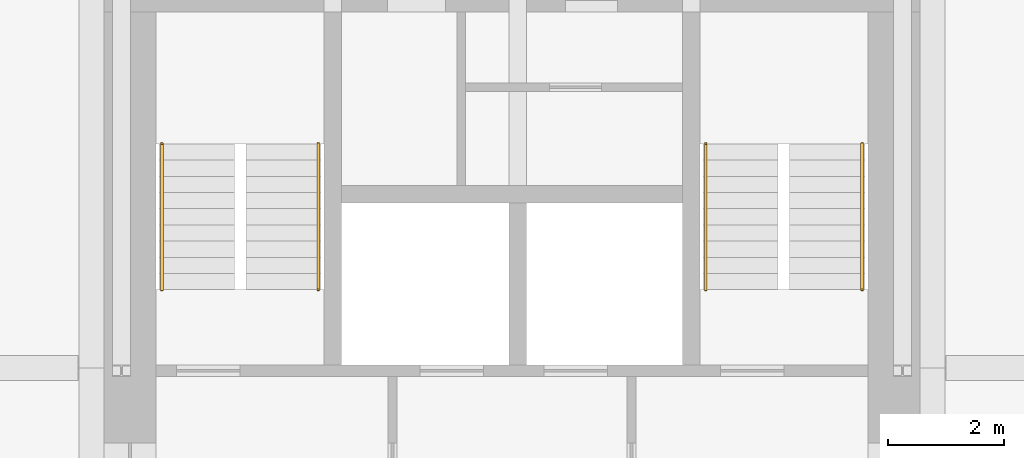
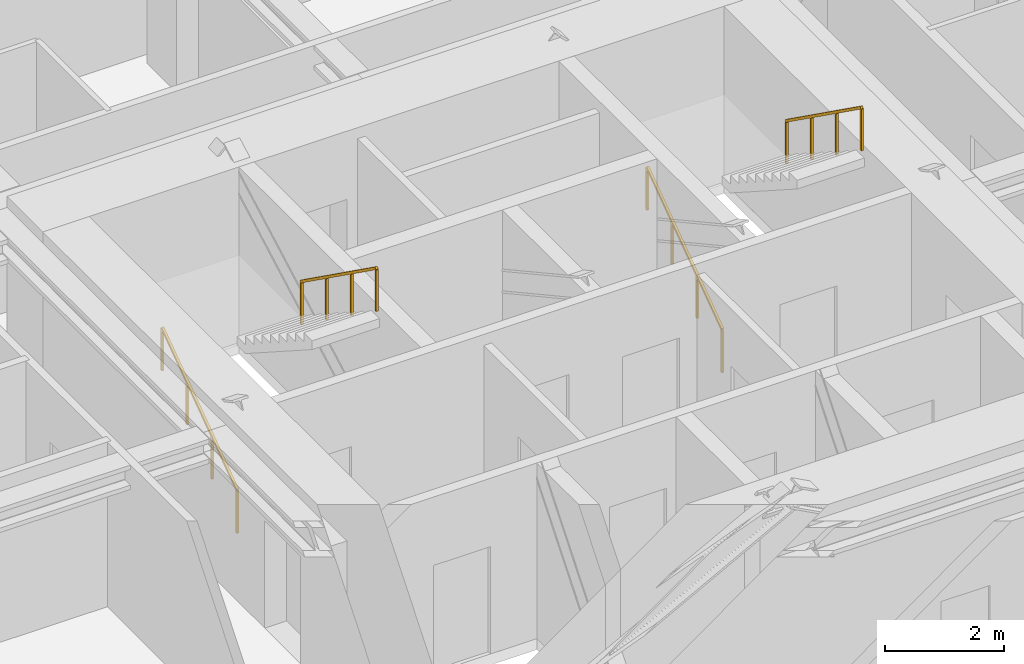
# One storey, part 8 of 8: 4 railings.
"""IFC4 building model written with IfcOpenShell, lengths in metres."""

from ifc_helpers import new_model, si_unit, direction, frame, origin, origin_2d, place, context, subcontext, project, spatial, rectangle, extrude, material, type_object, element, save


model = new_model("IFC4")

# Units and contexts
model_context = context("Model", 3, precision=1e-05, world=origin(), true_north=direction((0.0, 1.0)))
body_context = subcontext(model_context, "Body", "Model", "MODEL_VIEW")
ifc_project = project(units=[si_unit("LENGTHUNIT", "METRE"), si_unit("AREAUNIT", "SQUARE_METRE"), si_unit("VOLUMEUNIT", "CUBIC_METRE"), si_unit("PLANEANGLEUNIT", "RADIAN"), si_unit("MASSUNIT", "GRAM", prefix="KILO")], contexts=[model_context])

# Site, building, storey
site_placement = place(None, origin())
site = spatial("IfcSite", under=ifc_project, at=site_placement, CompositionType="ELEMENT")
building_placement = place(site_placement, origin())
building = spatial("IfcBuilding", under=site, at=building_placement, Name="Nyansa Garden Tower", CompositionType="ELEMENT")
storey_placement = place(building_placement, frame((0.0, 0.0, 229.5)))
storey = spatial("IfcBuildingStorey", under=building, at=storey_placement, Name="L62", CompositionType="ELEMENT", Elevation=229.5)

# Railings
ifc_material = material(Name="Black powder-coated steel tube 48 mm", Category="steel")
railing_type = type_object("IfcRailingType", Name="Stair handrail HR1", PredefinedType="HANDRAIL", material=ifc_material)
railing_1_placement = place(storey_placement, frame((14.199951171875, 21.60009765625, 0.0)))
element("IfcRailing", 1, at=railing_1_placement, inside=storey, type_object=railing_type, Name="Stair S1 handrail L62", PredefinedType="HANDRAIL", context=body_context, shape_type="SweptSolid", body=[
    extrude(rectangle(XDim=0.048095703125, YDim=0.048095703125, at=origin_2d()), frame((0.0, 0.0, 0.8759765625), z_axis=(0.0, 0.813728144527, 0.581245650998), x_axis=(-1.0, 0.0, 0.0)), (0.0, 0.0, 1.0), 3.096923828125),
    extrude(rectangle(XDim=0.0419921875, YDim=0.0419921875, at=origin_2d()), origin(), (0.0, 0.0, 1.0), 0.851806640625),
    extrude(rectangle(XDim=0.0419921875, YDim=0.0419921875, at=origin_2d()), frame((0.0, 0.840087890625, 0.60009765625)), (0.0, 0.0, 1.0), 0.851806640625),
    extrude(rectangle(XDim=0.0419921875, YDim=0.0419921875, at=origin_2d()), frame((0.0, 1.679931640625, 1.199951171875)), (0.0, 0.0, 1.0), 0.851806640625),
    extrude(rectangle(XDim=0.0419921875, YDim=0.0419921875, at=origin_2d()), frame((0.0, 2.52001953125, 1.800048828125)), (0.0, 0.0, 1.0), 0.851806640625),
])
railing_2_placement = place(storey_placement, frame((16.89990234375, 24.1201171875, 1.800048828125)))
element("IfcRailing", 2, at=railing_2_placement, inside=storey, type_object=railing_type, Name="Stair S1 handrail L62", PredefinedType="HANDRAIL", context=body_context, shape_type="SweptSolid", body=[
    extrude(rectangle(XDim=0.048095703125, YDim=0.048095703125, at=origin_2d()), frame((0.0, 0.0, 0.8759765625), z_axis=(0.0, -0.813728144527, 0.581245650998), x_axis=(1.0, 0.0, 0.0)), (0.0, 0.0, 1.0), 3.096923828125),
    extrude(rectangle(XDim=0.0419921875, YDim=0.0419921875, at=origin_2d()), origin(), (0.0, 0.0, 1.0), 0.851806640625),
    extrude(rectangle(XDim=0.0419921875, YDim=0.0419921875, at=origin_2d()), frame((0.0, -0.840087890625, 0.60009765625)), (0.0, 0.0, 1.0), 0.851806640625),
    extrude(rectangle(XDim=0.0419921875, YDim=0.0419921875, at=origin_2d()), frame((0.0, -1.679931640625, 1.199951171875)), (0.0, 0.0, 1.0), 0.851806640625),
    extrude(rectangle(XDim=0.0419921875, YDim=0.0419921875, at=origin_2d()), frame((0.0, -2.52001953125, 1.800048828125)), (0.0, 0.0, 1.0), 0.851806640625),
])
railing_3_placement = place(storey_placement, frame((23.60009765625, 21.60009765625, 0.0)))
element("IfcRailing", 3, at=railing_3_placement, inside=storey, type_object=railing_type, Name="Stair S2 handrail L62", PredefinedType="HANDRAIL", context=body_context, shape_type="SweptSolid", body=[
    extrude(rectangle(XDim=0.048095703125, YDim=0.048095703125, at=origin_2d()), frame((0.0, 0.0, 0.8759765625), z_axis=(0.0, 0.813728144527, 0.581245650998), x_axis=(-1.0, 0.0, 0.0)), (0.0, 0.0, 1.0), 3.096923828125),
    extrude(rectangle(XDim=0.0419921875, YDim=0.0419921875, at=origin_2d()), origin(), (0.0, 0.0, 1.0), 0.851806640625),
    extrude(rectangle(XDim=0.0419921875, YDim=0.0419921875, at=origin_2d()), frame((0.0, 0.840087890625, 0.60009765625)), (0.0, 0.0, 1.0), 0.851806640625),
    extrude(rectangle(XDim=0.0419921875, YDim=0.0419921875, at=origin_2d()), frame((0.0, 1.679931640625, 1.199951171875)), (0.0, 0.0, 1.0), 0.851806640625),
    extrude(rectangle(XDim=0.0419921875, YDim=0.0419921875, at=origin_2d()), frame((0.0, 2.52001953125, 1.800048828125)), (0.0, 0.0, 1.0), 0.851806640625),
])
railing_4_placement = place(storey_placement, frame((26.300048828125, 24.1201171875, 1.800048828125)))
element("IfcRailing", 4, at=railing_4_placement, inside=storey, type_object=railing_type, Name="Stair S2 handrail L62", PredefinedType="HANDRAIL", context=body_context, shape_type="SweptSolid", body=[
    extrude(rectangle(XDim=0.048095703125, YDim=0.048095703125, at=origin_2d()), frame((0.0, 0.0, 0.8759765625), z_axis=(0.0, -0.813728144527, 0.581245650998), x_axis=(1.0, 0.0, 0.0)), (0.0, 0.0, 1.0), 3.096923828125),
    extrude(rectangle(XDim=0.0419921875, YDim=0.0419921875, at=origin_2d()), origin(), (0.0, 0.0, 1.0), 0.851806640625),
    extrude(rectangle(XDim=0.0419921875, YDim=0.0419921875, at=origin_2d()), frame((0.0, -0.840087890625, 0.60009765625)), (0.0, 0.0, 1.0), 0.851806640625),
    extrude(rectangle(XDim=0.0419921875, YDim=0.0419921875, at=origin_2d()), frame((0.0, -1.679931640625, 1.199951171875)), (0.0, 0.0, 1.0), 0.851806640625),
    extrude(rectangle(XDim=0.0419921875, YDim=0.0419921875, at=origin_2d()), frame((0.0, -2.52001953125, 1.800048828125)), (0.0, 0.0, 1.0), 0.851806640625),
])

save(model, "model.ifc")
